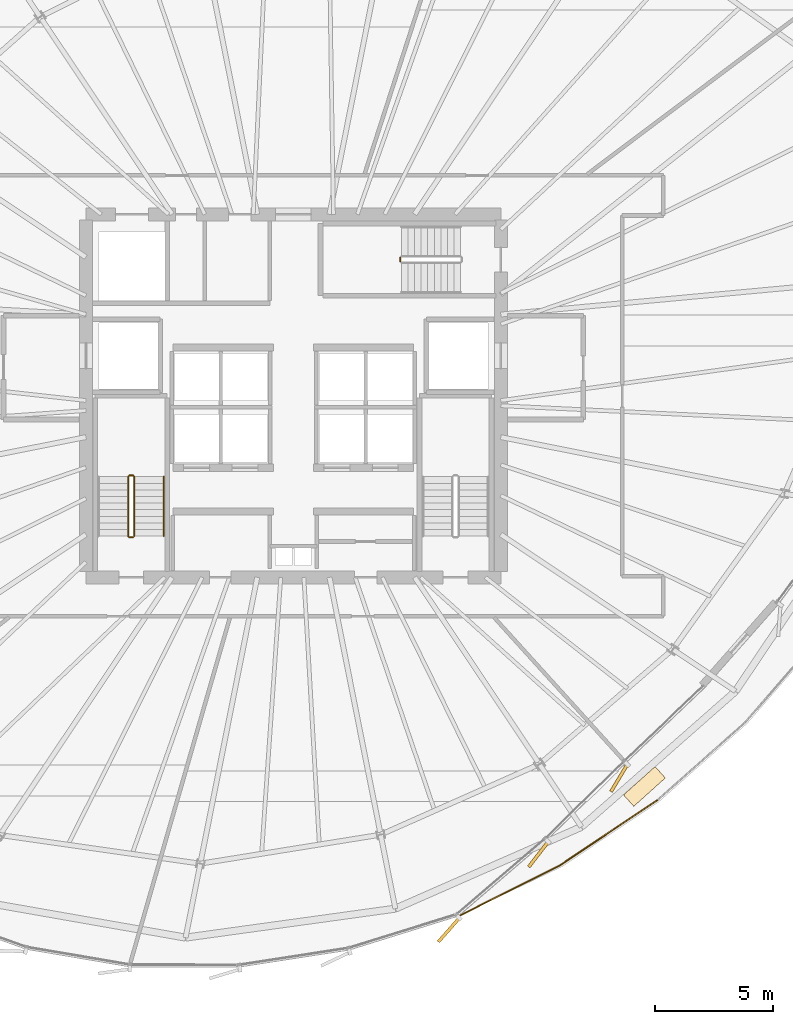
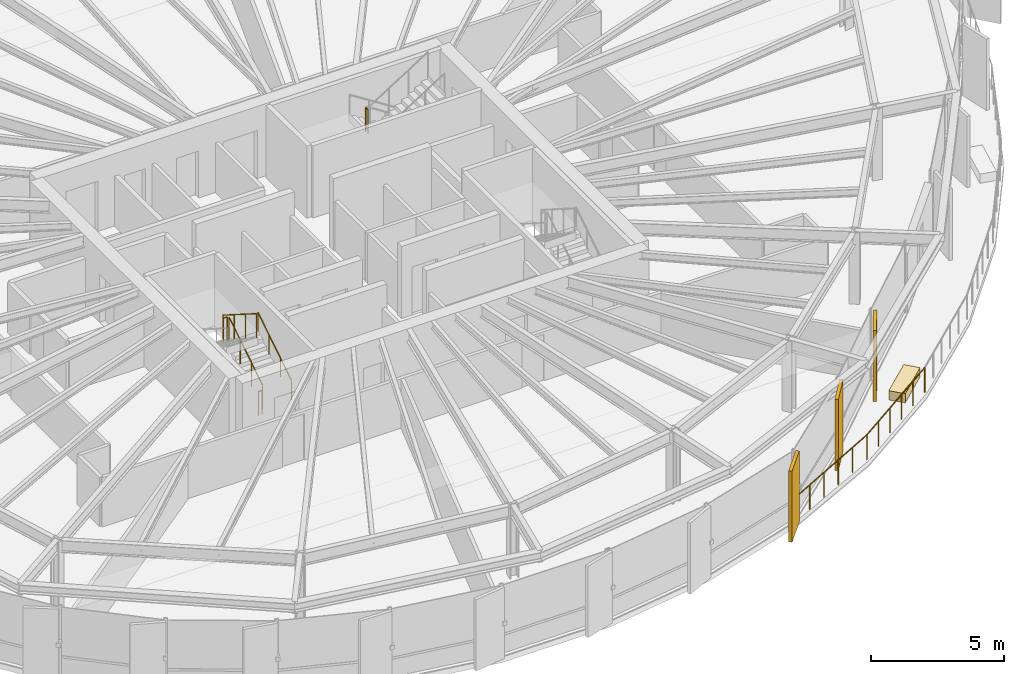
# One storey, part 32 of 34: 8 railings, 4 coverings.
"""IFC4 building model written with IfcOpenShell, lengths in metres."""

from ifc_helpers import new_model, si_unit, direction, frame, origin, origin_2d, place, context, subcontext, project, spatial, rectangle, circle, extrude, source, transform, mapped, material, layer, layer_set, type_object, element, save


model = new_model("IFC4")

# Units and contexts
model_context = context("Model", 3, precision=1e-05, world=origin(), true_north=direction((0.0, 1.0)))
body_context = subcontext(model_context, "Body", "Model", "MODEL_VIEW")
ifc_project = project(units=[si_unit("LENGTHUNIT", "METRE"), si_unit("AREAUNIT", "SQUARE_METRE"), si_unit("VOLUMEUNIT", "CUBIC_METRE"), si_unit("PLANEANGLEUNIT", "RADIAN"), si_unit("MASSUNIT", "GRAM", prefix="KILO"), si_unit("THERMODYNAMICTEMPERATUREUNIT", "KELVIN")], contexts=[model_context])

# Site, building, storey
site_placement = place(None, origin())
site = spatial("IfcSite", under=ifc_project, at=site_placement, CompositionType="ELEMENT")
building_placement = place(site_placement, origin())
building = spatial("IfcBuilding", under=site, at=building_placement, Name="Kethvar Cultural Tower", CompositionType="ELEMENT")
storey_placement = place(building_placement, frame((0.0, 0.0, 153.64990234375)))
storey = spatial("IfcBuildingStorey", under=building, at=storey_placement, Name="L39", CompositionType="ELEMENT", Elevation=153.64990234375)

# Railings
ifc_material_1 = material(Name="Steel S355J2", Category="steel")
railing_type_1 = type_object("IfcRailingType", Name="RL-EXT-GUARD-1150", PredefinedType="BALUSTRADE", material=ifc_material_1)
railing_1_placement = place(storey_placement, frame((53.79150390625, 5.70849609375, 0.0)))
element("IfcRailing", 1, at=railing_1_placement, inside=storey, type_object=railing_type_1, Name="L39 Spiralling Terrace Balustrade 01", PredefinedType="BALUSTRADE", context=body_context, shape_type="SweptSolid", body=[
    extrude(circle(Radius=0.02392578125, at=origin_2d()), frame((0.0, 0.0, 1.1259765625), z_axis=(0.892820165769, 0.450413311966, 0.0), x_axis=(-0.450413311966, 0.892820165769, 0.0)), (0.0, 0.0, 1.0), 4.87890625),
    extrude(circle(Radius=0.02099609375, at=origin_2d()), origin(), (0.0, 0.0, 1.0), 1.101806640625),
    extrude(circle(Radius=0.02099609375, at=origin_2d()), frame((0.87109375, 0.439453125, 0.0)), (0.0, 0.0, 1.0), 1.101806640625),
    extrude(circle(Radius=0.02099609375, at=origin_2d()), frame((1.742431640625, 0.87890625, 0.0)), (0.0, 0.0, 1.0), 1.101806640625),
    extrude(circle(Radius=0.02099609375, at=origin_2d()), frame((2.613525390625, 1.318603515625, 0.0)), (0.0, 0.0, 1.0), 1.101806640625),
    extrude(circle(Radius=0.02099609375, at=origin_2d()), frame((3.48486328125, 1.758056640625, 0.0)), (0.0, 0.0, 1.0), 1.101806640625),
    extrude(circle(Radius=0.02099609375, at=origin_2d()), frame((4.35595703125, 2.197509765625, 0.0)), (0.0, 0.0, 1.0), 1.101806640625),
])
railing_2_placement = place(storey_placement, frame((58.1474609375, 7.906005859375, 0.0)))
element("IfcRailing", 2, at=railing_2_placement, inside=storey, type_object=railing_type_1, Name="L39 Spiralling Terrace Balustrade 02", PredefinedType="BALUSTRADE", context=body_context, shape_type="SweptSolid", body=[
    extrude(circle(Radius=0.02392578125, at=origin_2d()), frame((0.0, 0.0, 1.1259765625), z_axis=(0.83142233415, 0.555640983258, 0.0), x_axis=(-0.555640983258, 0.83142233415, 0.0)), (0.0, 0.0, 1.0), 4.908935546875),
    extrude(circle(Radius=0.02099609375, at=origin_2d()), origin(), (0.0, 0.0, 1.0), 1.101806640625),
    extrude(circle(Radius=0.02099609375, at=origin_2d()), frame((0.816162109375, 0.54541015625, 0.0)), (0.0, 0.0, 1.0), 1.101806640625),
    extrude(circle(Radius=0.02099609375, at=origin_2d()), frame((1.632568359375, 1.091064453125, 0.0)), (0.0, 0.0, 1.0), 1.101806640625),
    extrude(circle(Radius=0.02099609375, at=origin_2d()), frame((2.44873046875, 1.636474609375, 0.0)), (0.0, 0.0, 1.0), 1.101806640625),
    extrude(circle(Radius=0.02099609375, at=origin_2d()), frame((3.26513671875, 2.18212890625, 0.0)), (0.0, 0.0, 1.0), 1.101806640625),
    extrude(circle(Radius=0.02099609375, at=origin_2d()), frame((4.081298828125, 2.7275390625, 0.0)), (0.0, 0.0, 1.0), 1.101806640625),
])
railing_type_2 = type_object("IfcRailingType", Name="RL-STAIR-GUARD", PredefinedType="BALUSTRADE", material=ifc_material_1)
railing_3_placement = place(storey_placement, frame((40.050048828125, 21.85009765625, 0.177490234375)))
element("IfcRailing", 3, at=railing_3_placement, inside=storey, type_object=railing_type_2, Name="L39 ST-01 stair guard 1", PredefinedType="BALUSTRADE", context=body_context, shape_type="SweptSolid", body=[
    extrude(circle(Radius=0.02392578125, at=origin_2d()), frame((0.0, 0.0, 1.09619140625), z_axis=(0.0, 0.84456994832, 0.535445237532), x_axis=(-1.0, 0.0, 0.0)), (0.0, 0.0, 1.0), 2.98388671875),
    extrude(circle(Radius=0.02099609375, at=origin_2d()), origin(), (0.0, 0.0, 1.0), 1.072021484375),
    extrude(circle(Radius=0.02099609375, at=origin_2d()), frame((0.0, 0.840087890625, 0.532470703125)), (0.0, 0.0, 1.0), 1.072021484375),
    extrude(circle(Radius=0.02099609375, at=origin_2d()), frame((0.0, 1.679931640625, 1.065185546875)), (0.0, 0.0, 1.0), 1.072021484375),
    extrude(circle(Radius=0.02099609375, at=origin_2d()), frame((0.0, 2.52001953125, 1.59765625)), (0.0, 0.0, 1.0), 1.072021484375),
])
railing_4_placement = place(storey_placement, frame((40.0, 24.419921875, 1.775146484375)))
element("IfcRailing", 4, at=railing_4_placement, inside=storey, type_object=railing_type_2, Name="L39 ST-01 stair guard 2", PredefinedType="BALUSTRADE", context=body_context, shape_type="SweptSolid", body=[
    extrude(circle(Radius=0.02392578125, at=origin_2d()), frame((0.0, 0.0, 1.09619140625), z_axis=(-1.0, 0.0, 0.0), x_axis=(0.0, -1.0, 0.0)), (0.0, 0.0, 1.0), 0.159912109375),
    extrude(circle(Radius=0.02099609375, at=origin_2d()), origin(), (0.0, 0.0, 1.0), 1.072021484375),
    extrude(circle(Radius=0.02099609375, at=origin_2d()), frame((-0.159912109375, 0.0, 0.0)), (0.0, 0.0, 1.0), 1.072021484375),
])
railing_5_placement = place(storey_placement, frame((39.7900390625, 24.3701171875, 1.95263671875)))
element("IfcRailing", 5, at=railing_5_placement, inside=storey, type_object=railing_type_2, Name="L39 ST-01 stair guard 3", PredefinedType="BALUSTRADE", context=body_context, shape_type="SweptSolid", body=[
    extrude(circle(Radius=0.02392578125, at=origin_2d()), frame((0.0, 0.0, 1.09619140625), z_axis=(0.0, -0.84460694969, 0.535386869969), x_axis=(1.0, 0.0, 0.0)), (0.0, 0.0, 1.0), 2.983642578125),
    extrude(circle(Radius=0.02099609375, at=origin_2d()), origin(), (0.0, 0.0, 1.0), 1.072021484375),
    extrude(circle(Radius=0.02099609375, at=origin_2d()), frame((0.0, -0.840087890625, 0.532470703125)), (0.0, 0.0, 1.0), 1.072021484375),
    extrude(circle(Radius=0.02099609375, at=origin_2d()), frame((0.0, -1.679931640625, 1.06494140625)), (0.0, 0.0, 1.0), 1.072021484375),
    extrude(circle(Radius=0.02099609375, at=origin_2d()), frame((0.0, -2.52001953125, 1.597412109375)), (0.0, 0.0, 1.0), 1.072021484375),
])
railing_6_placement = place(storey_placement, frame((40.0, 21.800048828125, 0.0)))
element("IfcRailing", 6, at=railing_6_placement, inside=storey, type_object=railing_type_2, Name="L39 ST-01 stair guard 4", PredefinedType="BALUSTRADE", context=body_context, shape_type="SweptSolid", body=[
    extrude(circle(Radius=0.02392578125, at=origin_2d()), frame((0.0, 0.0, 1.09619140625), z_axis=(-1.0, 0.0, 0.0), x_axis=(0.0, -1.0, 0.0)), (0.0, 0.0, 1.0), 0.159912109375),
    extrude(circle(Radius=0.02099609375, at=origin_2d()), origin(), (0.0, 0.0, 1.0), 1.072021484375),
    extrude(circle(Radius=0.02099609375, at=origin_2d()), frame((-0.159912109375, 0.0, 0.0)), (0.0, 0.0, 1.0), 1.072021484375),
])
railing_7_placement = place(storey_placement, frame((51.330078125, 33.659912109375, 1.775146484375)))
element("IfcRailing", 7, at=railing_7_placement, inside=storey, type_object=railing_type_2, Name="L39 ST-03 stair guard 2", PredefinedType="BALUSTRADE", context=body_context, shape_type="SweptSolid", body=[
    extrude(circle(Radius=0.02392578125, at=origin_2d()), frame((0.0, 0.0, 1.09619140625), z_axis=(0.0, -1.0, 0.0), x_axis=(1.0, 0.0, 0.0)), (0.0, 0.0, 1.0), 0.159912109375),
    extrude(circle(Radius=0.02099609375, at=origin_2d()), origin(), (0.0, 0.0, 1.0), 1.072021484375),
    extrude(circle(Radius=0.02099609375, at=origin_2d()), frame((0.0, -0.159912109375, 0.0)), (0.0, 0.0, 1.0), 1.072021484375),
])
railing_type_3 = type_object("IfcRailingType", Name="RL-STAIR-HANDRAIL", PredefinedType="HANDRAIL", material=ifc_material_1)
railing_8_placement = place(storey_placement, frame((41.300048828125, 21.85009765625, 0.177490234375)))
element("IfcRailing", 8, at=railing_8_placement, inside=storey, type_object=railing_type_3, Name="L39 ST-01 stair handrail 1", PredefinedType="HANDRAIL", context=body_context, shape_type="SweptSolid", body=[
    extrude(circle(Radius=0.02392578125, at=origin_2d()), frame((0.0, 0.0, 0.8759765625), z_axis=(0.0, 0.84456994832, 0.535445237532), x_axis=(-1.0, 0.0, 0.0)), (0.0, 0.0, 1.0), 2.98388671875),
    extrude(circle(Radius=0.02099609375, at=origin_2d()), origin(), (0.0, 0.0, 1.0), 0.851806640625),
    extrude(circle(Radius=0.02099609375, at=origin_2d()), frame((0.0, 0.840087890625, 0.532470703125)), (0.0, 0.0, 1.0), 0.851806640625),
    extrude(circle(Radius=0.02099609375, at=origin_2d()), frame((0.0, 1.679931640625, 1.065185546875)), (0.0, 0.0, 1.0), 0.851806640625),
    extrude(circle(Radius=0.02099609375, at=origin_2d()), frame((0.0, 2.52001953125, 1.59765625)), (0.0, 0.0, 1.0), 0.851806640625),
])

# Coverings
ifc_material_2 = material(Name="Extruded Architectural Terracotta", Category="masonry")
ifc_layer_1 = layer(ifc_material_2, 0.419921875, Name="Extruded Architectural Terracotta", Category="masonry")
ifc_layer_set_1 = layer_set([ifc_layer_1], Name="Extruded Architectural Terracotta (420 mm)")
covering_type_1 = type_object("IfcCoveringType", Name="Terracotta Terrace Planter PLANTER-01", PredefinedType="USERDEFINED", material=ifc_layer_set_1)
shared_shape_1 = source(origin(), body_context, "Body", "SweptSolid", [
    extrude(rectangle(XDim=1.800048828125, YDim=0.64990234375, at=origin_2d()), origin(), (0.0, 0.0, 1.0), 0.419921875),
])
covering_placement = place(storey_placement, frame((61.694091796875, 11.228515625, 0.000244140625), z_axis=(0.0, 0.0, 1.0), x_axis=(0.743728469045, 0.668481835454, 0.0)))
element("IfcCovering", 9, at=covering_placement, inside=storey, type_object=covering_type_1, Name="L39 Sky Terrace Planter Box A", ObjectType="PLANTER", PredefinedType="USERDEFINED", context=body_context, shape_type="MappedRepresentation", body=[
    mapped(shared_shape_1, transform((0.0, 0.0, 0.0), scale=1.0)),
])
ifc_layer_2 = layer(ifc_material_2, 0.135009765625, Name="Extruded Architectural Terracotta", Category="masonry")
ifc_layer_set_2 = layer_set([ifc_layer_2], Name="Extruded Architectural Terracotta (135 mm)")
covering_type_2 = type_object("IfcCoveringType", Name="Terracotta Facade Fin FIN-02", PredefinedType="CLADDING", material=ifc_layer_set_2)
shared_shape_2 = source(origin(), body_context, "Body", "SweptSolid", [
    extrude(rectangle(XDim=1.35009765625, YDim=0.135009765625, at=origin_2d()), origin(), (0.0, 0.0, 1.0), 3.260009765625),
])
for number, where, z_axis, x_axis, name in (
    (10, (53.3974609375, 5.14111328125, 0.02001953125), (0.0, 0.0, 1.0), (-0.660657018202, -0.750687887408, 0.0), "L39 Vertical Terracotta Fin 5.3"),
    (11, (57.199951171875, 8.35009765625, 0.02001953125), (0.0, 0.0, 1.0), (-0.611112672705, -0.791543619303, 0.0), "L39 Vertical Terracotta Fin 5.4"),
    (12, (60.622802734375, 11.585693359375, 0.02001953125), (0.0, 0.0, 1.0), (-0.514289859311, -0.857616429769, 0.0), "L39 Vertical Terracotta Fin 5.5"),
):
    element("IfcCovering", number, at=place(storey_placement, frame(where, z_axis=z_axis, x_axis=x_axis)), inside=storey, type_object=covering_type_2, Name=name, PredefinedType="CLADDING", context=body_context, shape_type="MappedRepresentation", body=[
        mapped(shared_shape_2, transform((0.0, 0.0, 0.0), scale=1.0)),
    ])

save(model, "model.ifc")
